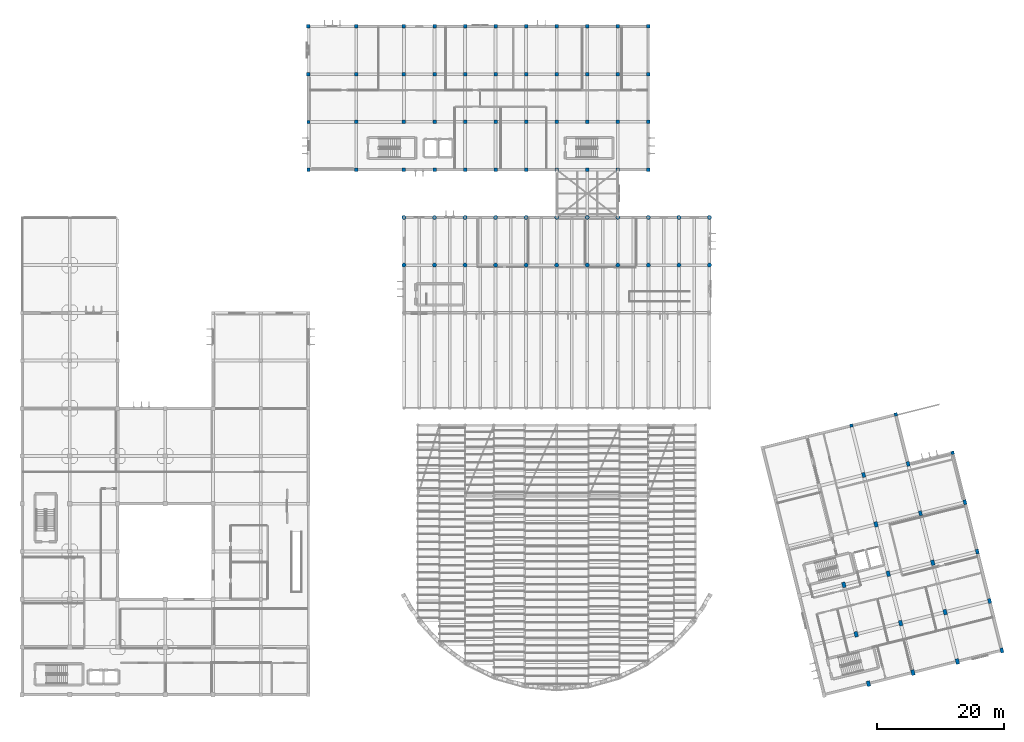
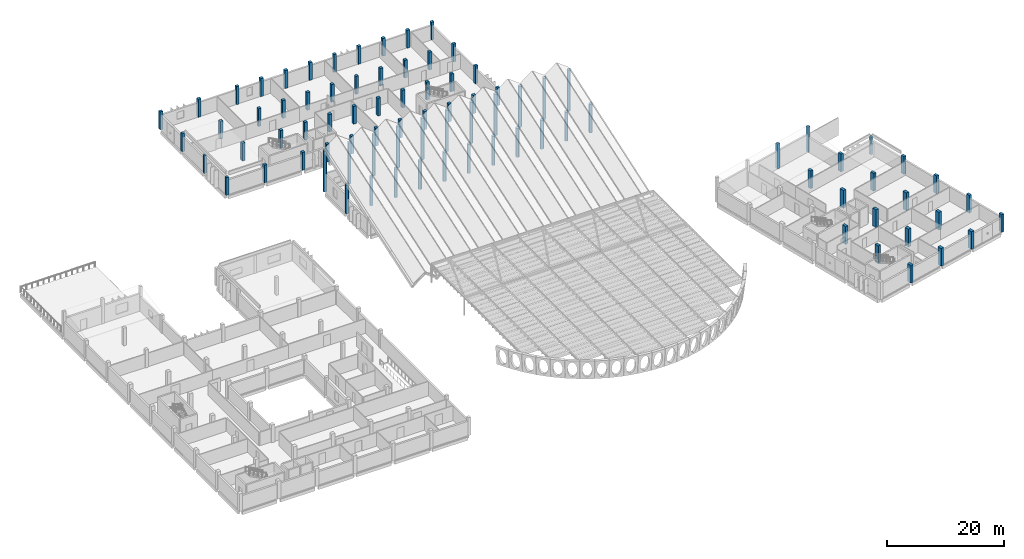
# One storey, part 11 of 47: 86 columns.
"""IFC4 building model written with IfcOpenShell, lengths in metres."""

from ifc_helpers import new_model, si_unit, direction, frame, origin, origin_2d, place, context, subcontext, project, spatial, rectangle, circle, extrude, material, material_profile, profile_set, type_object, element, save


model = new_model("IFC4")

# Units and contexts
model_context = context("Model", 3, precision=1e-05, world=origin(), true_north=direction((0.0, 1.0)))
body_context = subcontext(model_context, "Body", "Model", "MODEL_VIEW")
ifc_project = project(units=[si_unit("LENGTHUNIT", "METRE"), si_unit("AREAUNIT", "SQUARE_METRE"), si_unit("VOLUMEUNIT", "CUBIC_METRE"), si_unit("PLANEANGLEUNIT", "RADIAN"), si_unit("MASSUNIT", "GRAM", prefix="KILO")], contexts=[model_context])

# Site, building, storey
site_placement = place(None, origin())
site = spatial("IfcSite", under=ifc_project, at=site_placement, CompositionType="ELEMENT")
building_placement = place(site_placement, origin())
building = spatial("IfcBuilding", under=site, at=building_placement, Name="Mawjan Specialist Oncology Clinic", CompositionType="ELEMENT")
storey_placement = place(building_placement, frame((0.0, 0.0, 9.5)))
storey = spatial("IfcBuildingStorey", under=building, at=storey_placement, Name="L02", CompositionType="ELEMENT", Elevation=9.5)

# Columns
ifc_material_1 = material(Name="Concrete C45/55", Category="concrete")
ifc_material_profile_1 = material_profile(ifc_material_1, rectangle(XDim=0.5, YDim=0.5, at=origin_2d()), Name="RC COL 500x500", Category="concrete")
ifc_profile_set_1 = profile_set([ifc_material_profile_1], Name="Concrete C45/55")
column_type_1 = type_object("IfcColumnType", Name="C-500", PredefinedType="COLUMN", material=ifc_profile_set_1)
for number, where, z_axis, x_axis, name in (
    (1, (45.0, 83.300048828125, 0.0), (0.0, 0.0, 1.0), (1.0, 0.0, 0.0), "L02 Column G-7-M"),
    (2, (45.0, 90.800048828125, 0.0), (0.0, 0.0, 1.0), (1.0, 0.0, 0.0), "L02 Column G-7-N"),
):
    element("IfcColumn", number, at=place(storey_placement, frame(where, z_axis=z_axis, x_axis=x_axis)), inside=storey, type_object=column_type_1, Name=name, PredefinedType="COLUMN", context=body_context, shape_type="SweptSolid", body=[
        extrude(rectangle(XDim=0.5, YDim=0.5, at=origin_2d()), origin(), (0.0, 0.0, 1.0), 3.699951171875),
    ])
for number, where, z_axis, x_axis, name in (
    (3, (130.29541015625, 43.095458984375, 0.0), (0.0, 0.0, 1.0), (0.970295726276, 0.2419218956, 0.0), "L02 Column R-RC-R6"),
    (4, (137.281494140625, 44.83740234375, 0.0), (0.0, 0.0, 1.0), (0.970295726276, 0.2419218956, 0.0), "L02 Column R-RD-R6"),
):
    element("IfcColumn", number, at=place(storey_placement, frame(where, z_axis=z_axis, x_axis=x_axis)), inside=storey, type_object=column_type_1, Name=name, PredefinedType="COLUMN", context=body_context, shape_type="SweptSolid", body=[
        extrude(rectangle(XDim=0.5, YDim=0.5, at=origin_2d()), origin(), (0.0, 0.0, 1.0), 5.22607421875),
    ])
column_1_placement = place(storey_placement, frame((146.203125, 38.81689453125, 0.0), z_axis=(0.0, 0.0, 1.0), x_axis=(0.970295726276, 0.2419218956, 0.0)))
element("IfcColumn", 5, at=column_1_placement, inside=storey, type_object=column_type_1, Name="L02 Column R-RE-R5", PredefinedType="COLUMN", context=body_context, shape_type="SweptSolid", body=[
    extrude(rectangle(XDim=0.5, YDim=0.5, at=origin_2d()), origin(), (0.0, 0.0, 1.0), 3.699951171875),
])
ifc_material_2 = material(Name="Concrete C45/55", Category="concrete")
ifc_material_profile_2 = material_profile(ifc_material_2, rectangle(XDim=0.5, YDim=0.75, at=origin_2d()), Name="RC COL 500x750", Category="concrete")
ifc_profile_set_2 = profile_set([ifc_material_profile_2], Name="Concrete C45/55")
column_type_2 = type_object("IfcColumnType", Name="C-500x750", PredefinedType="COLUMN", material=ifc_profile_set_2)
for number, where, z_axis, x_axis, name in (
    (6, (132.230712890625, 35.333251953125, 0.0), (0.0, 0.0, 1.0), (0.970295726276, 0.2419218956, 0.0), "L02 Column R-RC-R5"),
    (7, (141.15234375, 29.3125, 0.0), (0.0, 0.0, 1.0), (0.970295726276, 0.2419218956, 0.0), "L02 Column R-RD-R4"),
    (8, (139.216796875, 37.074951171875, 0.0), (0.0, 0.0, 1.0), (0.970295726276, 0.2419218956, 0.0), "L02 Column R-RD-R5"),
    (9, (153.944580078125, 7.767333984375, 0.0), (0.0, 0.0, 1.0), (0.970295726276, 0.2419218956, 0.0), "L02 Column R-RE-R1"),
    (10, (152.009033203125, 15.52978515625, 0.0), (0.0, 0.0, 1.0), (0.970295726276, 0.2419218956, 0.0), "L02 Column R-RE-R2"),
    (11, (150.07373046875, 23.2919921875, 0.0), (0.0, 0.0, 1.0), (0.970295726276, 0.2419218956, 0.0), "L02 Column R-RE-R3"),
    (12, (148.138427734375, 31.054443359375, 0.0), (0.0, 0.0, 1.0), (0.970295726276, 0.2419218956, 0.0), "L02 Column R-RE-R4"),
):
    element("IfcColumn", number, at=place(storey_placement, frame(where, z_axis=z_axis, x_axis=x_axis)), inside=storey, type_object=column_type_2, Name=name, PredefinedType="COLUMN", context=body_context, shape_type="SweptSolid", body=[
        extrude(rectangle(XDim=0.5, YDim=0.75, at=origin_2d()), origin(), (0.0, 0.0, 1.0), 3.699951171875),
    ])
ifc_material_3 = material(Name="Concrete C45/55", Category="concrete")
ifc_material_profile_3 = material_profile(ifc_material_3, rectangle(XDim=0.550048828125, YDim=0.550048828125, at=origin_2d()), Name="RC COL 550x550", Category="concrete")
ifc_profile_set_3 = profile_set([ifc_material_profile_3], Name="Concrete C45/55")
column_type_3 = type_object("IfcColumnType", Name="C-550", PredefinedType="COLUMN", material=ifc_profile_set_3)
for number, where, z_axis, x_axis, name in (
    (13, (45.0, 98.300048828125, 0.0), (0.0, 0.0, 1.0), (1.0, 0.0, 0.0), "L02 Column G-7-P"),
    (14, (45.0, 105.800048828125, 0.0), (0.0, 0.0, 1.0), (1.0, 0.0, 0.0), "L02 Column G-7-Q"),
):
    element("IfcColumn", number, at=place(storey_placement, frame(where, z_axis=z_axis, x_axis=x_axis)), inside=storey, type_object=column_type_3, Name=name, PredefinedType="COLUMN", context=body_context, shape_type="SweptSolid", body=[
        extrude(rectangle(XDim=0.550048828125, YDim=0.550048828125, at=origin_2d()), origin(), (0.0, 0.0, 1.0), 3.75),
    ])
for number, where, z_axis, x_axis, name in (
    (15, (52.5, 83.300048828125, 0.0), (0.0, 0.0, 1.0), (1.0, 0.0, 0.0), "L02 Column G-8-M"),
    (16, (52.5, 90.800048828125, 0.0), (0.0, 0.0, 1.0), (1.0, 0.0, 0.0), "L02 Column G-8-N"),
    (17, (52.5, 98.300048828125, 0.0), (0.0, 0.0, 1.0), (1.0, 0.0, 0.0), "L02 Column G-8-P"),
):
    element("IfcColumn", number, at=place(storey_placement, frame(where, z_axis=z_axis, x_axis=x_axis)), inside=storey, type_object=column_type_3, Name=name, PredefinedType="COLUMN", context=body_context, shape_type="SweptSolid", body=[
        extrude(rectangle(XDim=0.550048828125, YDim=0.550048828125, at=origin_2d()), origin(), (0.0, 0.0, 1.0), 3.699951171875),
    ])
column_2_placement = place(storey_placement, frame((52.5, 105.800048828125, 0.0), z_axis=(0.0, 0.0, 1.0), x_axis=(1.0, 0.0, 0.0)))
element("IfcColumn", 18, at=column_2_placement, inside=storey, type_object=column_type_3, Name="L02 Column G-8-Q", PredefinedType="COLUMN", context=body_context, shape_type="SweptSolid", body=[
    extrude(rectangle(XDim=0.550048828125, YDim=0.550048828125, at=origin_2d()), origin(), (0.0, 0.0, 1.0), 3.75),
])
for number, where, z_axis, x_axis, name in (
    (19, (60.0, 83.300048828125, 0.0), (0.0, 0.0, 1.0), (1.0, 0.0, 0.0), "L02 Column G-9-M"),
    (20, (60.0, 90.800048828125, 0.0), (0.0, 0.0, 1.0), (1.0, 0.0, 0.0), "L02 Column G-9-N"),
    (21, (60.0, 98.300048828125, 0.0), (0.0, 0.0, 1.0), (1.0, 0.0, 0.0), "L02 Column G-9-P"),
):
    element("IfcColumn", number, at=place(storey_placement, frame(where, z_axis=z_axis, x_axis=x_axis)), inside=storey, type_object=column_type_3, Name=name, PredefinedType="COLUMN", context=body_context, shape_type="SweptSolid", body=[
        extrude(rectangle(XDim=0.550048828125, YDim=0.550048828125, at=origin_2d()), origin(), (0.0, 0.0, 1.0), 3.699951171875),
    ])
column_3_placement = place(storey_placement, frame((60.0, 105.800048828125, 0.0), z_axis=(0.0, 0.0, 1.0), x_axis=(1.0, 0.0, 0.0)))
element("IfcColumn", 22, at=column_3_placement, inside=storey, type_object=column_type_3, Name="L02 Column G-9-Q", PredefinedType="COLUMN", context=body_context, shape_type="SweptSolid", body=[
    extrude(rectangle(XDim=0.550048828125, YDim=0.550048828125, at=origin_2d()), origin(), (0.0, 0.0, 1.0), 3.75),
])
for number, where, z_axis, x_axis, name in (
    (23, (64.800048828125, 83.300048828125, 0.0), (0.0, 0.0, 1.0), (1.0, 0.0, 0.0), "L02 Column G-10-M"),
    (24, (64.800048828125, 90.800048828125, 0.0), (0.0, 0.0, 1.0), (1.0, 0.0, 0.0), "L02 Column G-10-N"),
    (25, (64.800048828125, 98.300048828125, 0.0), (0.0, 0.0, 1.0), (1.0, 0.0, 0.0), "L02 Column G-10-P"),
):
    element("IfcColumn", number, at=place(storey_placement, frame(where, z_axis=z_axis, x_axis=x_axis)), inside=storey, type_object=column_type_3, Name=name, PredefinedType="COLUMN", context=body_context, shape_type="SweptSolid", body=[
        extrude(rectangle(XDim=0.550048828125, YDim=0.550048828125, at=origin_2d()), origin(), (0.0, 0.0, 1.0), 3.699951171875),
    ])
column_4_placement = place(storey_placement, frame((64.800048828125, 105.800048828125, 0.0), z_axis=(0.0, 0.0, 1.0), x_axis=(1.0, 0.0, 0.0)))
element("IfcColumn", 26, at=column_4_placement, inside=storey, type_object=column_type_3, Name="L02 Column G-10-Q", PredefinedType="COLUMN", context=body_context, shape_type="SweptSolid", body=[
    extrude(rectangle(XDim=0.550048828125, YDim=0.550048828125, at=origin_2d()), origin(), (0.0, 0.0, 1.0), 3.75),
])
for number, where, z_axis, x_axis, name in (
    (27, (69.60009765625, 83.300048828125, 0.0), (0.0, 0.0, 1.0), (1.0, 0.0, 0.0), "L02 Column G-11-M"),
    (28, (69.60009765625, 90.800048828125, 0.0), (0.0, 0.0, 1.0), (1.0, 0.0, 0.0), "L02 Column G-11-N"),
    (29, (69.60009765625, 98.300048828125, 0.0), (0.0, 0.0, 1.0), (1.0, 0.0, 0.0), "L02 Column G-11-P"),
):
    element("IfcColumn", number, at=place(storey_placement, frame(where, z_axis=z_axis, x_axis=x_axis)), inside=storey, type_object=column_type_3, Name=name, PredefinedType="COLUMN", context=body_context, shape_type="SweptSolid", body=[
        extrude(rectangle(XDim=0.550048828125, YDim=0.550048828125, at=origin_2d()), origin(), (0.0, 0.0, 1.0), 3.699951171875),
    ])
column_5_placement = place(storey_placement, frame((69.60009765625, 105.800048828125, 0.0), z_axis=(0.0, 0.0, 1.0), x_axis=(1.0, 0.0, 0.0)))
element("IfcColumn", 30, at=column_5_placement, inside=storey, type_object=column_type_3, Name="L02 Column G-11-Q", PredefinedType="COLUMN", context=body_context, shape_type="SweptSolid", body=[
    extrude(rectangle(XDim=0.550048828125, YDim=0.550048828125, at=origin_2d()), origin(), (0.0, 0.0, 1.0), 3.75),
])
for number, where, z_axis, x_axis, name in (
    (31, (74.39990234375, 83.300048828125, 0.0), (0.0, 0.0, 1.0), (1.0, 0.0, 0.0), "L02 Column G-12-M"),
    (32, (74.39990234375, 90.800048828125, 0.0), (0.0, 0.0, 1.0), (1.0, 0.0, 0.0), "L02 Column G-12-N"),
    (33, (74.39990234375, 98.300048828125, 0.0), (0.0, 0.0, 1.0), (1.0, 0.0, 0.0), "L02 Column G-12-P"),
    (34, (74.39990234375, 105.800048828125, 0.0), (0.0, 0.0, 1.0), (1.0, 0.0, 0.0), "L02 Column G-12-Q"),
    (35, (79.199951171875, 83.300048828125, 0.0), (0.0, 0.0, 1.0), (1.0, 0.0, 0.0), "L02 Column G-13-M"),
    (36, (79.199951171875, 90.800048828125, 0.0), (0.0, 0.0, 1.0), (1.0, 0.0, 0.0), "L02 Column G-13-N"),
    (37, (79.199951171875, 98.300048828125, 0.0), (0.0, 0.0, 1.0), (1.0, 0.0, 0.0), "L02 Column G-13-P"),
    (38, (79.199951171875, 105.800048828125, 0.0), (0.0, 0.0, 1.0), (1.0, 0.0, 0.0), "L02 Column G-13-Q"),
):
    element("IfcColumn", number, at=place(storey_placement, frame(where, z_axis=z_axis, x_axis=x_axis)), inside=storey, type_object=column_type_3, Name=name, PredefinedType="COLUMN", context=body_context, shape_type="SweptSolid", body=[
        extrude(rectangle(XDim=0.550048828125, YDim=0.550048828125, at=origin_2d()), origin(), (0.0, 0.0, 1.0), 3.699951171875),
    ])
column_6_placement = place(storey_placement, frame((84.0, 83.300048828125, 0.0), z_axis=(0.0, 0.0, 1.0), x_axis=(1.0, 0.0, 0.0)))
element("IfcColumn", 39, at=column_6_placement, inside=storey, type_object=column_type_3, Name="L02 Column G-14-M", PredefinedType="COLUMN", context=body_context, shape_type="SweptSolid", body=[
    extrude(rectangle(XDim=0.550048828125, YDim=0.550048828125, at=origin_2d()), origin(), (0.0, 0.0, 1.0), 3.800048828125),
])
for number, where, z_axis, x_axis, name in (
    (40, (84.0, 90.800048828125, 0.0), (0.0, 0.0, 1.0), (1.0, 0.0, 0.0), "L02 Column G-14-N"),
    (41, (84.0, 98.300048828125, 0.0), (0.0, 0.0, 1.0), (1.0, 0.0, 0.0), "L02 Column G-14-P"),
    (42, (84.0, 105.800048828125, 0.0), (0.0, 0.0, 1.0), (1.0, 0.0, 0.0), "L02 Column G-14-Q"),
    (43, (88.800048828125, 83.300048828125, 0.0), (0.0, 0.0, 1.0), (1.0, 0.0, 0.0), "L02 Column G-15-M"),
    (44, (88.800048828125, 90.800048828125, 0.0), (0.0, 0.0, 1.0), (1.0, 0.0, 0.0), "L02 Column G-15-N"),
    (45, (88.800048828125, 98.300048828125, 0.0), (0.0, 0.0, 1.0), (1.0, 0.0, 0.0), "L02 Column G-15-P"),
    (46, (88.800048828125, 105.800048828125, 0.0), (0.0, 0.0, 1.0), (1.0, 0.0, 0.0), "L02 Column G-15-Q"),
):
    element("IfcColumn", number, at=place(storey_placement, frame(where, z_axis=z_axis, x_axis=x_axis)), inside=storey, type_object=column_type_3, Name=name, PredefinedType="COLUMN", context=body_context, shape_type="SweptSolid", body=[
        extrude(rectangle(XDim=0.550048828125, YDim=0.550048828125, at=origin_2d()), origin(), (0.0, 0.0, 1.0), 3.699951171875),
    ])
column_7_placement = place(storey_placement, frame((93.60009765625, 83.300048828125, 0.0), z_axis=(0.0, 0.0, 1.0), x_axis=(1.0, 0.0, 0.0)))
element("IfcColumn", 47, at=column_7_placement, inside=storey, type_object=column_type_3, Name="L02 Column G-16-M", PredefinedType="COLUMN", context=body_context, shape_type="SweptSolid", body=[
    extrude(rectangle(XDim=0.550048828125, YDim=0.550048828125, at=origin_2d()), origin(), (0.0, 0.0, 1.0), 3.800048828125),
])
for number, where, z_axis, x_axis, name in (
    (48, (93.60009765625, 90.800048828125, 0.0), (0.0, 0.0, 1.0), (1.0, 0.0, 0.0), "L02 Column G-16-N"),
    (49, (93.60009765625, 98.300048828125, 0.0), (0.0, 0.0, 1.0), (1.0, 0.0, 0.0), "L02 Column G-16-P"),
    (50, (93.60009765625, 105.800048828125, 0.0), (0.0, 0.0, 1.0), (1.0, 0.0, 0.0), "L02 Column G-16-Q"),
    (51, (98.39990234375, 83.300048828125, 0.0), (0.0, 0.0, 1.0), (1.0, 0.0, 0.0), "L02 Column G-17-M"),
    (52, (98.39990234375, 90.800048828125, 0.0), (0.0, 0.0, 1.0), (1.0, 0.0, 0.0), "L02 Column G-17-N"),
    (53, (98.39990234375, 98.300048828125, 0.0), (0.0, 0.0, 1.0), (1.0, 0.0, 0.0), "L02 Column G-17-P"),
    (54, (98.39990234375, 105.800048828125, 0.0), (0.0, 0.0, 1.0), (1.0, 0.0, 0.0), "L02 Column G-17-Q"),
):
    element("IfcColumn", number, at=place(storey_placement, frame(where, z_axis=z_axis, x_axis=x_axis)), inside=storey, type_object=column_type_3, Name=name, PredefinedType="COLUMN", context=body_context, shape_type="SweptSolid", body=[
        extrude(rectangle(XDim=0.550048828125, YDim=0.550048828125, at=origin_2d()), origin(), (0.0, 0.0, 1.0), 3.699951171875),
    ])
ifc_material_4 = material(Name="Concrete C45/55", Category="concrete")
ifc_material_profile_4 = material_profile(ifc_material_4, rectangle(XDim=0.550048828125, YDim=0.85009765625, at=origin_2d()), Name="RC COL 550x850", Category="concrete")
ifc_profile_set_4 = profile_set([ifc_material_profile_4], Name="Concrete C45/55")
column_type_4 = type_object("IfcColumnType", Name="C-550x850", PredefinedType="COLUMN", material=ifc_profile_set_4)
for number, where, z_axis, x_axis, name in (
    (55, (132.986083984375, 2.541748046875, 0.0), (0.0, 0.0, 1.0), (0.970295726276, 0.2419218956, 0.0), "L02 Column R-RB-R1"),
    (56, (131.05078125, 10.30419921875, 0.0), (0.0, 0.0, 1.0), (0.970295726276, 0.2419218956, 0.0), "L02 Column R-RB-R2"),
    (57, (129.115478515625, 18.066650390625, 0.0), (0.0, 0.0, 1.0), (0.970295726276, 0.2419218956, 0.0), "L02 Column R-RB-R3"),
    (58, (139.97216796875, 4.28369140625, 0.0), (0.0, 0.0, 1.0), (0.970295726276, 0.2419218956, 0.0), "L02 Column R-RC-R1"),
    (59, (138.036865234375, 12.046142578125, 0.0), (0.0, 0.0, 1.0), (0.970295726276, 0.2419218956, 0.0), "L02 Column R-RC-R2"),
    (60, (136.1015625, 19.808349609375, 0.0), (0.0, 0.0, 1.0), (0.970295726276, 0.2419218956, 0.0), "L02 Column R-RC-R3"),
    (61, (134.166015625, 27.57080078125, 0.0), (0.0, 0.0, 1.0), (0.970295726276, 0.2419218956, 0.0), "L02 Column R-RC-R4"),
    (62, (146.95849609375, 6.025634765625, 0.0), (0.0, 0.0, 1.0), (0.970295726276, 0.2419218956, 0.0), "L02 Column R-RD-R1"),
    (63, (145.02294921875, 13.787841796875, 0.0), (0.0, 0.0, 1.0), (0.970295726276, 0.2419218956, 0.0), "L02 Column R-RD-R2"),
    (64, (143.087646484375, 21.55029296875, 0.0), (0.0, 0.0, 1.0), (0.970295726276, 0.2419218956, 0.0), "L02 Column R-RD-R3"),
):
    element("IfcColumn", number, at=place(storey_placement, frame(where, z_axis=z_axis, x_axis=x_axis)), inside=storey, type_object=column_type_4, Name=name, PredefinedType="COLUMN", context=body_context, shape_type="SweptSolid", body=[
        extrude(rectangle(XDim=0.550048828125, YDim=0.85009765625, at=origin_2d()), origin(), (0.0, 0.0, 1.0), 3.699951171875),
    ])
ifc_material_5 = material(Name="Concrete C45/55", Category="concrete")
ifc_material_profile_5 = material_profile(ifc_material_5, circle(Radius=0.324951171875, at=origin_2d()), Name="RC COL D650", Category="concrete")
ifc_profile_set_5 = profile_set([ifc_material_profile_5], Name="Concrete C45/55")
column_type_5 = type_object("IfcColumnType", Name="C-D650", PredefinedType="COLUMN", material=ifc_profile_set_5)
for number, where, z_axis, x_axis, name in (
    (65, (84.0, 75.800048828125, 0.0), (0.0, 0.0, 1.0), (1.0, 0.0, 0.0), "L02 Column G-14-L"),
    (66, (88.800048828125, 75.800048828125, 0.0), (0.0, 0.0, 1.0), (1.0, 0.0, 0.0), "L02 Column G-15-L"),
    (67, (93.60009765625, 75.800048828125, 0.0), (0.0, 0.0, 1.0), (1.0, 0.0, 0.0), "L02 Column G-16-L"),
):
    element("IfcColumn", number, at=place(storey_placement, frame(where, z_axis=z_axis, x_axis=x_axis)), inside=storey, type_object=column_type_5, Name=name, PredefinedType="COLUMN", context=body_context, shape_type="SweptSolid", body=[
        extrude(circle(Radius=0.324951171875, at=origin_2d()), origin(), (0.0, 0.0, 1.0), 8.550048828125),
    ])
column_8_placement = place(storey_placement, frame((60.0, 68.300048828125, 0.0), z_axis=(0.0, 0.0, 1.0), x_axis=(1.0, 0.0, 0.0)))
element("IfcColumn", 68, at=column_8_placement, inside=storey, type_object=column_type_5, Name="Hall Valley L02 Column 1-68", PredefinedType="COLUMN", context=body_context, shape_type="SweptSolid", body=[
    extrude(circle(Radius=0.324951171875, at=origin_2d()), origin(), (0.0, 0.0, 1.0), 6.0),
])
column_9_placement = place(storey_placement, frame((60.0, 75.800048828125, 0.0), z_axis=(0.0, 0.0, 1.0), x_axis=(1.0, 0.0, 0.0)))
element("IfcColumn", 69, at=column_9_placement, inside=storey, type_object=column_type_5, Name="Hall Valley L02 Column 1-75", PredefinedType="COLUMN", context=body_context, shape_type="SweptSolid", body=[
    extrude(circle(Radius=0.324951171875, at=origin_2d()), origin(), (0.0, 0.0, 1.0), 8.550048828125),
])
column_10_placement = place(storey_placement, frame((64.800048828125, 68.300048828125, 0.0), z_axis=(0.0, 0.0, 1.0), x_axis=(1.0, 0.0, 0.0)))
element("IfcColumn", 70, at=column_10_placement, inside=storey, type_object=column_type_5, Name="Hall Valley L02 Column 2-68", PredefinedType="COLUMN", context=body_context, shape_type="SweptSolid", body=[
    extrude(circle(Radius=0.324951171875, at=origin_2d()), origin(), (0.0, 0.0, 1.0), 6.0),
])
column_11_placement = place(storey_placement, frame((64.800048828125, 75.800048828125, 0.0), z_axis=(0.0, 0.0, 1.0), x_axis=(1.0, 0.0, 0.0)))
element("IfcColumn", 71, at=column_11_placement, inside=storey, type_object=column_type_5, Name="Hall Valley L02 Column 2-75", PredefinedType="COLUMN", context=body_context, shape_type="SweptSolid", body=[
    extrude(circle(Radius=0.324951171875, at=origin_2d()), origin(), (0.0, 0.0, 1.0), 8.550048828125),
])
column_12_placement = place(storey_placement, frame((69.60009765625, 68.300048828125, 0.0), z_axis=(0.0, 0.0, 1.0), x_axis=(1.0, 0.0, 0.0)))
element("IfcColumn", 72, at=column_12_placement, inside=storey, type_object=column_type_5, Name="Hall Valley L02 Column 3-68", PredefinedType="COLUMN", context=body_context, shape_type="SweptSolid", body=[
    extrude(circle(Radius=0.324951171875, at=origin_2d()), origin(), (0.0, 0.0, 1.0), 6.0),
])
column_13_placement = place(storey_placement, frame((69.60009765625, 75.800048828125, 0.0), z_axis=(0.0, 0.0, 1.0), x_axis=(1.0, 0.0, 0.0)))
element("IfcColumn", 73, at=column_13_placement, inside=storey, type_object=column_type_5, Name="Hall Valley L02 Column 3-75", PredefinedType="COLUMN", context=body_context, shape_type="SweptSolid", body=[
    extrude(circle(Radius=0.324951171875, at=origin_2d()), origin(), (0.0, 0.0, 1.0), 8.550048828125),
])
column_14_placement = place(storey_placement, frame((74.39990234375, 68.300048828125, 0.0), z_axis=(0.0, 0.0, 1.0), x_axis=(1.0, 0.0, 0.0)))
element("IfcColumn", 74, at=column_14_placement, inside=storey, type_object=column_type_5, Name="Hall Valley L02 Column 4-68", PredefinedType="COLUMN", context=body_context, shape_type="SweptSolid", body=[
    extrude(circle(Radius=0.324951171875, at=origin_2d()), origin(), (0.0, 0.0, 1.0), 6.0),
])
column_15_placement = place(storey_placement, frame((74.39990234375, 75.800048828125, 0.0), z_axis=(0.0, 0.0, 1.0), x_axis=(1.0, 0.0, 0.0)))
element("IfcColumn", 75, at=column_15_placement, inside=storey, type_object=column_type_5, Name="Hall Valley L02 Column 4-75", PredefinedType="COLUMN", context=body_context, shape_type="SweptSolid", body=[
    extrude(circle(Radius=0.324951171875, at=origin_2d()), origin(), (0.0, 0.0, 1.0), 8.550048828125),
])
column_16_placement = place(storey_placement, frame((79.199951171875, 68.300048828125, 0.0), z_axis=(0.0, 0.0, 1.0), x_axis=(1.0, 0.0, 0.0)))
element("IfcColumn", 76, at=column_16_placement, inside=storey, type_object=column_type_5, Name="Hall Valley L02 Column 5-68", PredefinedType="COLUMN", context=body_context, shape_type="SweptSolid", body=[
    extrude(circle(Radius=0.324951171875, at=origin_2d()), origin(), (0.0, 0.0, 1.0), 6.0),
])
column_17_placement = place(storey_placement, frame((79.199951171875, 75.800048828125, 0.0), z_axis=(0.0, 0.0, 1.0), x_axis=(1.0, 0.0, 0.0)))
element("IfcColumn", 77, at=column_17_placement, inside=storey, type_object=column_type_5, Name="Hall Valley L02 Column 5-75", PredefinedType="COLUMN", context=body_context, shape_type="SweptSolid", body=[
    extrude(circle(Radius=0.324951171875, at=origin_2d()), origin(), (0.0, 0.0, 1.0), 8.550048828125),
])
for number, where, z_axis, x_axis, name in (
    (78, (84.0, 68.300048828125, 0.0), (0.0, 0.0, 1.0), (1.0, 0.0, 0.0), "Hall Valley L02 Column 6-68"),
    (79, (88.800048828125, 68.300048828125, 0.0), (0.0, 0.0, 1.0), (1.0, 0.0, 0.0), "Hall Valley L02 Column 7-68"),
    (80, (93.60009765625, 68.300048828125, 0.0), (0.0, 0.0, 1.0), (1.0, 0.0, 0.0), "Hall Valley L02 Column 8-68"),
    (81, (98.39990234375, 68.300048828125, 0.0), (0.0, 0.0, 1.0), (1.0, 0.0, 0.0), "Hall Valley L02 Column 9-68"),
):
    element("IfcColumn", number, at=place(storey_placement, frame(where, z_axis=z_axis, x_axis=x_axis)), inside=storey, type_object=column_type_5, Name=name, PredefinedType="COLUMN", context=body_context, shape_type="SweptSolid", body=[
        extrude(circle(Radius=0.324951171875, at=origin_2d()), origin(), (0.0, 0.0, 1.0), 6.0),
    ])
column_18_placement = place(storey_placement, frame((98.39990234375, 75.800048828125, 0.0), z_axis=(0.0, 0.0, 1.0), x_axis=(1.0, 0.0, 0.0)))
element("IfcColumn", 82, at=column_18_placement, inside=storey, type_object=column_type_5, Name="Hall Valley L02 Column 9-75", PredefinedType="COLUMN", context=body_context, shape_type="SweptSolid", body=[
    extrude(circle(Radius=0.324951171875, at=origin_2d()), origin(), (0.0, 0.0, 1.0), 8.550048828125),
])
column_19_placement = place(storey_placement, frame((103.199951171875, 68.300048828125, 0.0), z_axis=(0.0, 0.0, 1.0), x_axis=(1.0, 0.0, 0.0)))
element("IfcColumn", 83, at=column_19_placement, inside=storey, type_object=column_type_5, Name="Hall Valley L02 Column 10-68", PredefinedType="COLUMN", context=body_context, shape_type="SweptSolid", body=[
    extrude(circle(Radius=0.324951171875, at=origin_2d()), origin(), (0.0, 0.0, 1.0), 6.0),
])
column_20_placement = place(storey_placement, frame((103.199951171875, 75.800048828125, 0.0), z_axis=(0.0, 0.0, 1.0), x_axis=(1.0, 0.0, 0.0)))
element("IfcColumn", 84, at=column_20_placement, inside=storey, type_object=column_type_5, Name="Hall Valley L02 Column 10-75", PredefinedType="COLUMN", context=body_context, shape_type="SweptSolid", body=[
    extrude(circle(Radius=0.324951171875, at=origin_2d()), origin(), (0.0, 0.0, 1.0), 8.550048828125),
])
column_21_placement = place(storey_placement, frame((108.0, 68.300048828125, 0.0), z_axis=(0.0, 0.0, 1.0), x_axis=(1.0, 0.0, 0.0)))
element("IfcColumn", 85, at=column_21_placement, inside=storey, type_object=column_type_5, Name="Hall Valley L02 Column 11-68", PredefinedType="COLUMN", context=body_context, shape_type="SweptSolid", body=[
    extrude(circle(Radius=0.324951171875, at=origin_2d()), origin(), (0.0, 0.0, 1.0), 6.0),
])
column_22_placement = place(storey_placement, frame((108.0, 75.800048828125, 0.0), z_axis=(0.0, 0.0, 1.0), x_axis=(1.0, 0.0, 0.0)))
element("IfcColumn", 86, at=column_22_placement, inside=storey, type_object=column_type_5, Name="Hall Valley L02 Column 11-75", PredefinedType="COLUMN", context=body_context, shape_type="SweptSolid", body=[
    extrude(circle(Radius=0.324951171875, at=origin_2d()), origin(), (0.0, 0.0, 1.0), 8.550048828125),
])

save(model, "model.ifc")
